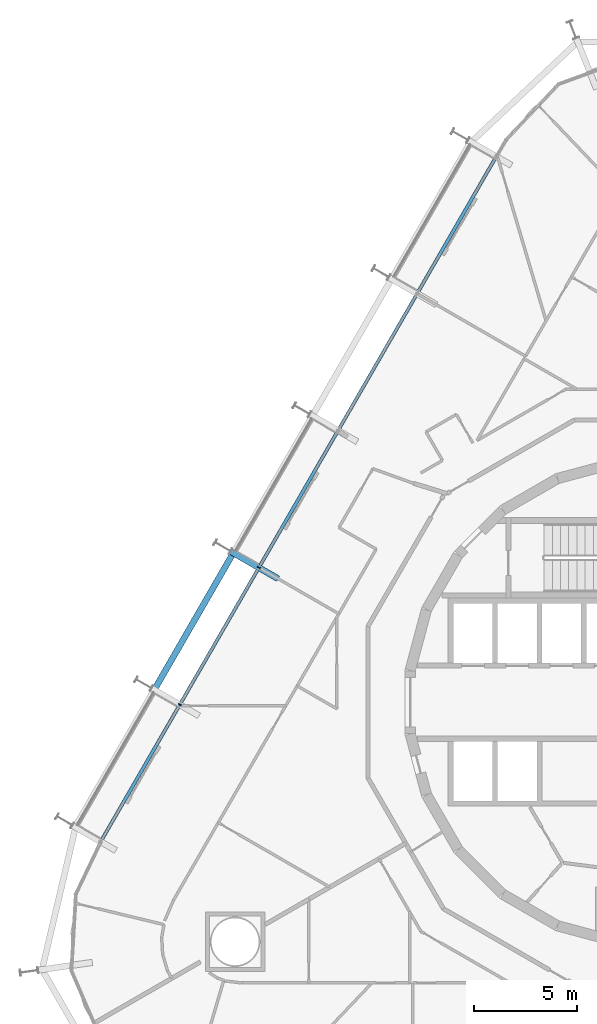
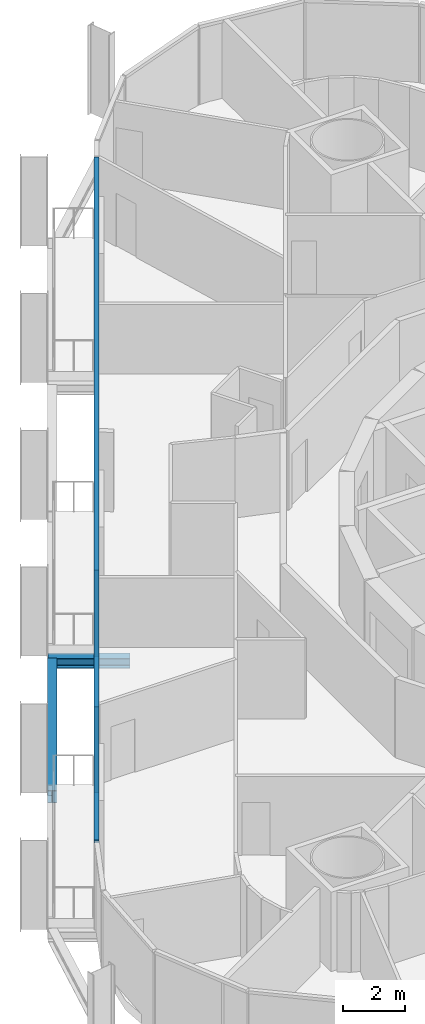
# One storey, part 5 of 21: 3 members, 2 beams, 1 element without a shape of its own.
"""IFC4 building model written with IfcOpenShell, lengths in metres."""

from ifc_helpers import new_model, si_unit, direction, frame, origin, origin_2d, place, context, subcontext, project, spatial, rectangle, i_section, extrude, material, layer, layer_set, material_profile, profile_set, type_object, element, aggregate, save


model = new_model("IFC4")

# Units and contexts
model_context = context("Model", 3, precision=1e-05, world=origin(), true_north=direction((0.0, 1.0)))
body_context = subcontext(model_context, "Body", "Model", "MODEL_VIEW")
ifc_project = project(units=[si_unit("LENGTHUNIT", "METRE"), si_unit("AREAUNIT", "SQUARE_METRE"), si_unit("VOLUMEUNIT", "CUBIC_METRE"), si_unit("PLANEANGLEUNIT", "RADIAN"), si_unit("MASSUNIT", "GRAM", prefix="KILO")], contexts=[model_context])

# Site, building, storey
site_placement = place(None, origin())
site = spatial("IfcSite", under=ifc_project, at=site_placement, CompositionType="ELEMENT")
building_placement = place(site_placement, origin())
building = spatial("IfcBuilding", under=site, at=building_placement, Name="Spindle Arch Residences", CompositionType="ELEMENT")
storey_placement = place(building_placement, frame((0.0, 0.0, 62.89990234375)))
storey = spatial("IfcBuildingStorey", under=building, at=storey_placement, Name="L14", CompositionType="ELEMENT", Elevation=62.89990234375)

# Curtain wall, members
ifc_material_1 = material(Name="Aluminium bronze unitised frame with tinted glass", Category="aluminium")
ifc_layer = layer(ifc_material_1, 0.159912109375)
ifc_layer_set = layer_set([ifc_layer], Name="CW-C typical residential unitised wall")
curtain_wall_type = type_object("IfcCurtainWallType", Name="CW-C typical residential unitised wall", PredefinedType="NOTDEFINED", material=ifc_layer_set)
curtain_wall_placement = place(storey_placement, origin())
curtain_wall = element("IfcCurtainWall", 1, at=curtain_wall_placement, inside=storey, type_object=curtain_wall_type, Name="CW-C L14 run 4", PredefinedType="NOTDEFINED")
ifc_material_2 = material(Name="Aluminium bronze anodised mullion", Category="aluminium")
ifc_material_profile_1 = material_profile(ifc_material_2, rectangle(XDim=0.159912109375, YDim=0.06005859375, at=origin_2d()), Name="MU 60x160")
ifc_profile_set_1 = profile_set([ifc_material_profile_1], Name="Aluminium bronze anodised mullion")
member_type_1 = type_object("IfcMemberType", Name="Bronze mullion 60x160", PredefinedType="MULLION", material=ifc_profile_set_1)
member_1_placement = place(storey_placement, frame((-18.9892578125, 6.529296875, -0.3798828125), z_axis=(0.0, 0.0, 1.0), x_axis=(0.866025403784, -0.5, 0.0)))
member_1 = element("IfcMember", 2, at=member_1_placement, type_object=member_type_1, Name="CW-C mullion 16", PredefinedType="MULLION", context=body_context, shape_type="SweptSolid", body=[
    extrude(rectangle(XDim=0.159912109375, YDim=0.06005859375, at=origin_2d()), origin(), (0.0, 0.0, 1.0), 3.3798828125),
])
member_2_placement = place(storey_placement, frame((-22.829345703125, -0.121826171875, -0.3798828125), z_axis=(0.0, 0.0, 1.0), x_axis=(0.866025403784, -0.5, 0.0)))
member_2 = element("IfcMember", 3, at=member_2_placement, type_object=member_type_1, Name="CW-C mullion 17", PredefinedType="MULLION", context=body_context, shape_type="SweptSolid", body=[
    extrude(rectangle(XDim=0.159912109375, YDim=0.06005859375, at=origin_2d()), origin(), (0.0, 0.0, 1.0), 3.3798828125),
])
ifc_material_3 = material(Name="Aluminium bronze anodised transom", Category="aluminium")
ifc_material_profile_2 = material_profile(ifc_material_3, rectangle(XDim=0.159912109375, YDim=0.1201171875, at=origin_2d()), Name="TR 120x160")
ifc_profile_set_2 = profile_set([ifc_material_profile_2], Name="Aluminium bronze anodised transom")
member_type_2 = type_object("IfcMemberType", Name="Bronze transom 120x160", PredefinedType="USERDEFINED", material=ifc_profile_set_2)
member_3_placement = place(storey_placement, frame((-7.484130859375, 26.456787109375, 3.06005859375), z_axis=(-0.50000099666, -0.866024828362, 0.0), x_axis=(0.866024828362, -0.50000099666, 0.0)))
member_3 = element("IfcMember", 4, at=member_3_placement, type_object=member_type_2, Name="CW-C transom 00", ObjectType="TRANSOM", PredefinedType="USERDEFINED", context=body_context, shape_type="SweptSolid", body=[
    extrude(rectangle(XDim=0.159912109375, YDim=0.1201171875, at=origin_2d()), origin(), (0.0, 0.0, 1.0), 38.34033203125),
])
aggregate(curtain_wall, [member_3, member_1, member_2])

# Beams
ifc_material_4 = material(Name="Steel S460ML, intumescent coating R 120", Category="steel")
ifc_material_profile_3 = material_profile(ifc_material_4, i_section(OverallWidth=0.300048828125, OverallDepth=0.5, WebThickness=0.014404296875, FlangeThickness=0.028076171875, FilletRadius=0.027099609375, at=origin_2d()), Name="HEB 500")
ifc_profile_set_3 = profile_set([ifc_material_profile_3], Name="Steel S460ML, intumescent coating R 120")
beam_type_1 = type_object("IfcBeamType", Name="Exoskeleton edge beam HEB 500", PredefinedType="BEAM", material=ifc_profile_set_3)
beam_1_placement = place(storey_placement, frame((-20.29541015625, 7.13330078125, -0.6298828125), z_axis=(-0.49998923004, -0.866031621735, 0.0), x_axis=(0.866031621735, -0.49998923004, 0.0)))
element("IfcBeam", 5, at=beam_1_placement, inside=storey, type_object=beam_type_1, Name="Exoskeleton edge beam 17", PredefinedType="BEAM", context=body_context, shape_type="SweptSolid", body=[
    extrude(i_section(OverallWidth=0.300048828125, OverallDepth=0.5, WebThickness=0.014404296875, FlangeThickness=0.028076171875, FilletRadius=0.027099609375, at=origin_2d()), origin(), (0.0, 0.0, 1.0), 7.420166015625),
])
ifc_material_5 = material(Name="Steel S460ML, intumescent coating R 120", Category="steel")
ifc_material_profile_4 = material_profile(ifc_material_5, i_section(OverallWidth=0.300048828125, OverallDepth=0.389892578125, WebThickness=0.010986328125, FlangeThickness=0.01904296875, FilletRadius=0.027099609375, at=origin_2d()), Name="HEA 400")
ifc_profile_set_4 = profile_set([ifc_material_profile_4], Name="Steel S460ML, intumescent coating R 120")
beam_type_2 = type_object("IfcBeamType", Name="Floor outrigger HEA 400", PredefinedType="BEAM", material=ifc_profile_set_4)
beam_2_placement = place(storey_placement, frame((-20.34912109375, 7.314453125, -0.574951171875), z_axis=(0.866052124492, -0.499953715521, 0.0), x_axis=(0.499953715521, 0.866052124492, 0.0)))
element("IfcBeam", 6, at=beam_2_placement, inside=storey, type_object=beam_type_2, Name="Floor outrigger 17", PredefinedType="BEAM", context=body_context, shape_type="SweptSolid", body=[
    extrude(i_section(OverallWidth=0.300048828125, OverallDepth=0.389892578125, WebThickness=0.010986328125, FlangeThickness=0.01904296875, FilletRadius=0.027099609375, at=origin_2d()), origin(), (0.0, 0.0, 1.0), 2.650146484375),
])

save(model, "model.ifc")
